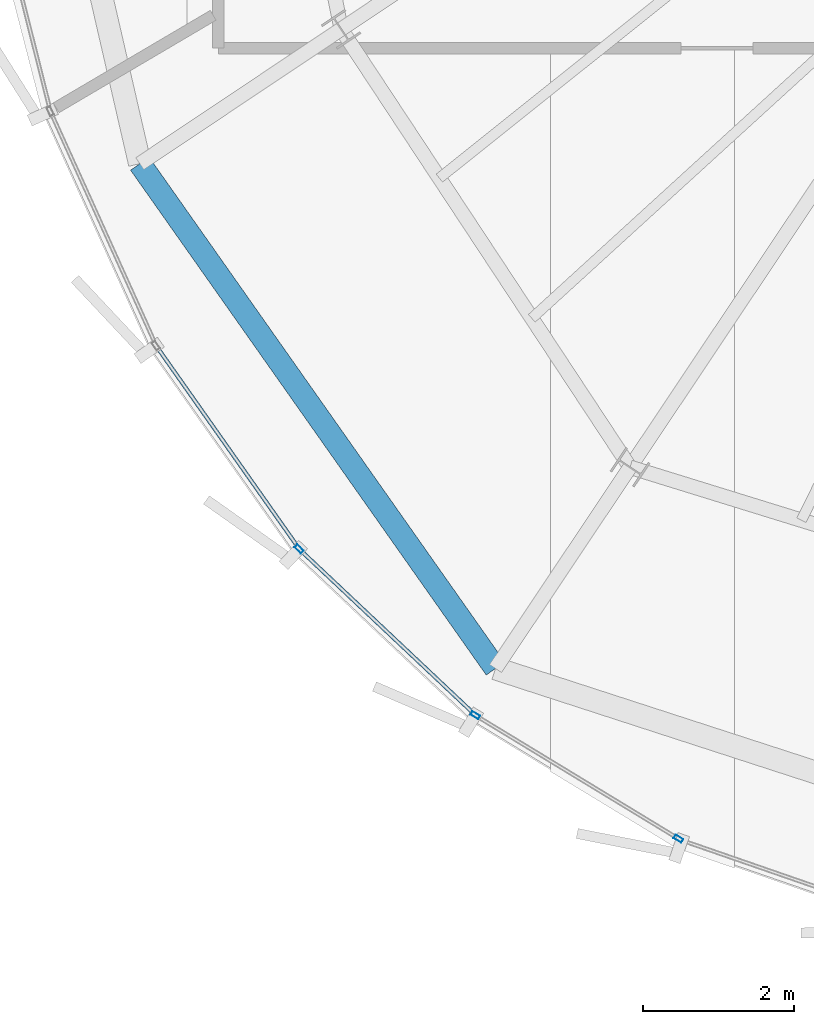
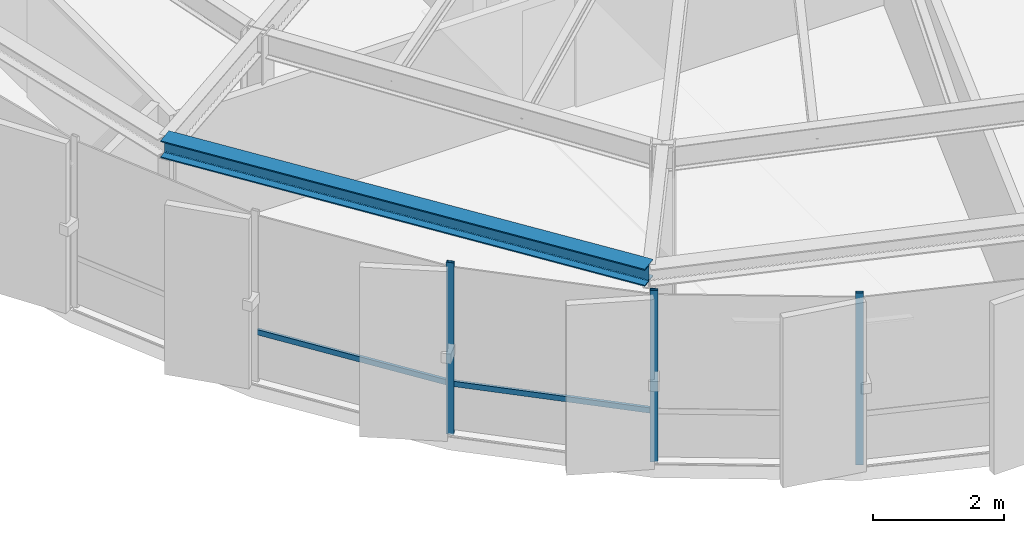
# One storey, part 2 of 30: 5 members, 1 beam, 1 element without a shape of its own.
"""IFC4 building model written with IfcOpenShell, lengths in metres."""

from ifc_helpers import new_model, si_unit, direction, frame, origin, origin_2d, place, context, subcontext, project, spatial, hollow_rectangle, i_section, extrude, source, transform, mapped, material, layer, layer_set, material_profile, profile_set, type_object, element, aggregate, save


model = new_model("IFC4")

# Units and contexts
model_context = context("Model", 3, precision=1e-05, world=origin(), true_north=direction((0.0, 1.0)))
body_context = subcontext(model_context, "Body", "Model", "MODEL_VIEW")
ifc_project = project(units=[si_unit("LENGTHUNIT", "METRE"), si_unit("AREAUNIT", "SQUARE_METRE"), si_unit("VOLUMEUNIT", "CUBIC_METRE"), si_unit("PLANEANGLEUNIT", "RADIAN"), si_unit("MASSUNIT", "GRAM", prefix="KILO"), si_unit("THERMODYNAMICTEMPERATUREUNIT", "KELVIN")], contexts=[model_context])

# Site, building, storey
site_placement = place(None, origin())
site = spatial("IfcSite", under=ifc_project, at=site_placement, CompositionType="ELEMENT")
building_placement = place(site_placement, origin())
building = spatial("IfcBuilding", under=site, at=building_placement, Name="Kethvar Cultural Tower", CompositionType="ELEMENT")
storey_placement = place(building_placement, frame((0.0, 0.0, 293.949951171875)))
storey = spatial("IfcBuildingStorey", under=building, at=storey_placement, Name="L78", CompositionType="ELEMENT", Elevation=293.949951171875)

# Beam
ifc_material_1 = material(Name="Steel S355J2", Category="steel")
ifc_material_profile_1 = material_profile(ifc_material_1, i_section(OverallWidth=0.300048828125, OverallDepth=0.320068359375, WebThickness=0.011474609375, FlangeThickness=0.0205078125, FilletRadius=0.027099609375, at=origin_2d()), Name="Steel S355J2 — HEB320")
ifc_profile_set_1 = profile_set([ifc_material_profile_1], Name="Steel S355J2 — HEB320")
beam_type = type_object("IfcBeamType", Name="BM-SP320", PredefinedType="SPANDREL", material=ifc_profile_set_1)
shared_shape_1 = source(origin(), body_context, "Body", "SweptSolid", [
    extrude(i_section(OverallWidth=0.300048828125, OverallDepth=0.320068359375, WebThickness=0.011474609375, FlangeThickness=0.0205078125, FilletRadius=0.027099609375, at=origin_2d()), origin(), (0.0, 0.0, 1.0), 8.16259765625),
])
beam_placement = place(storey_placement, frame((30.252197265625, 16.7431640625, 3.048095703125), z_axis=(0.575940812748, -0.817491394579, 0.0), x_axis=(0.817491394579, 0.575940812748, 0.0)))
element("IfcBeam", 1, at=beam_placement, inside=storey, type_object=beam_type, Name="L78 Perimeter Spandrel Beam SP-10", PredefinedType="SPANDREL", context=body_context, shape_type="MappedRepresentation", body=[
    mapped(shared_shape_1, transform((0.0, 0.0, 0.0), scale=1.0)),
])

# Curtain wall, members
ifc_material_2 = material(Name="Aluminium 6063-T6", Category="aluminium")
ifc_layer = layer(ifc_material_2, 0.179931640625, Name="Aluminium 6063-T6", Category="aluminium")
ifc_layer_set = layer_set([ifc_layer], Name="Aluminium 6063-T6 (180 mm)")
curtain_wall_type = type_object("IfcCurtainWallType", Name="CW-SYS-05-Z56", PredefinedType="NOTDEFINED", material=ifc_layer_set)
curtain_wall_placement = place(storey_placement, origin())
curtain_wall = element("IfcCurtainWall", 2, at=curtain_wall_placement, inside=storey, type_object=curtain_wall_type, Name="L78 Curtain Wall Run 03", PredefinedType="NOTDEFINED")
ifc_material_profile_2 = material_profile(ifc_material_2, hollow_rectangle(XDim=0.054931640625, YDim=0.1201171875, WallThickness=0.00390625, at=origin_2d()), Name="Aluminium 6063-T6 — RHS120x55x4")
ifc_profile_set_2 = profile_set([ifc_material_profile_2], Name="Aluminium 6063-T6 — RHS120x55x4")
member_type_1 = type_object("IfcMemberType", Name="CW-SYS-05-Z56-MUL", PredefinedType="MULLION", material=ifc_profile_set_2)
shared_shape_2 = source(origin(), body_context, "Body", "SweptSolid", [
    extrude(hollow_rectangle(XDim=0.054931640625, YDim=0.1201171875, WallThickness=0.00390625, at=origin_2d()), origin(), (0.0, 0.0, 1.0), 3.2099609375),
])
member_1_placement = place(storey_placement, frame((32.357177734375, 11.650390625, 0.0), z_axis=(0.0, 0.0, 1.0), x_axis=(0.685818352927, 0.727772757657, 0.0)))
member_1 = element("IfcMember", 3, at=member_1_placement, type_object=member_type_1, Name="CW-L78-R03 Mullion 5", PredefinedType="MULLION", context=body_context, shape_type="MappedRepresentation", body=[
    mapped(shared_shape_2, transform((0.0, 0.0, 0.0), scale=1.0)),
])
member_2_placement = place(storey_placement, frame((34.68603515625, 9.45263671875, 0.0), z_axis=(0.0, 0.0, 1.0), x_axis=(0.519399801856, 0.854531360356, 0.0)))
member_2 = element("IfcMember", 4, at=member_2_placement, type_object=member_type_1, Name="CW-L78-R03 Mullion 6", PredefinedType="MULLION", context=body_context, shape_type="MappedRepresentation", body=[
    mapped(shared_shape_2, transform((0.0, 0.0, 0.0), scale=1.0)),
])
member_3_placement = place(storey_placement, frame((37.370849609375, 7.82080078125, 0.0), z_axis=(0.0, 0.0, 1.0), x_axis=(0.519399801856, 0.854531360356, 0.0)))
member_3 = element("IfcMember", 5, at=member_3_placement, type_object=member_type_1, Name="CW-L78-R03 Mullion 7", PredefinedType="MULLION", context=body_context, shape_type="MappedRepresentation", body=[
    mapped(shared_shape_2, transform((0.0, 0.0, 0.0), scale=1.0)),
])
ifc_material_profile_3 = material_profile(ifc_material_2, hollow_rectangle(XDim=0.050048828125, YDim=0.10009765625, WallThickness=0.00390625, at=origin_2d()), Name="Aluminium 6063-T6 — RHS100x50x4")
ifc_profile_set_3 = profile_set([ifc_material_profile_3], Name="Aluminium 6063-T6 — RHS100x50x4")
member_type_2 = type_object("IfcMemberType", Name="CW-SYS-05-Z56-TRN", PredefinedType="USERDEFINED", material=ifc_profile_set_3)
shared_shape_3 = source(origin(), body_context, "Body", "SweptSolid", [
    extrude(hollow_rectangle(XDim=0.050048828125, YDim=0.10009765625, WallThickness=0.00390625, at=origin_2d()), origin(), (0.0, 0.0, 1.0), 3.14404296875),
])
member_4_placement = place(storey_placement, frame((32.385986328125, 11.623291015625, 0.949951171875), z_axis=(0.727762138805, -0.685829621205, 0.0), x_axis=(0.685829621205, 0.727762138805, 0.0)))
member_4 = element("IfcMember", 6, at=member_4_placement, type_object=member_type_2, Name="CW-L78-R03 Transom 5", ObjectType="TRANSOM", PredefinedType="USERDEFINED", context=body_context, shape_type="MappedRepresentation", body=[
    mapped(shared_shape_3, transform((0.0, 0.0, 0.0), scale=1.0)),
])
shared_shape_4 = source(origin(), body_context, "Body", "SweptSolid", [
    extrude(hollow_rectangle(XDim=0.050048828125, YDim=0.10009765625, WallThickness=0.00390625, at=origin_2d()), origin(), (0.0, 0.0, 1.0), 3.227783203125),
])
member_5_placement = place(storey_placement, frame((30.48828125, 14.30615234375, 0.949951171875), z_axis=(0.57596731756, -0.817472720708, 0.0), x_axis=(0.817472720708, 0.57596731756, 0.0)))
member_5 = element("IfcMember", 7, at=member_5_placement, type_object=member_type_2, Name="CW-L78-R03 Transom 4", ObjectType="TRANSOM", PredefinedType="USERDEFINED", context=body_context, shape_type="MappedRepresentation", body=[
    mapped(shared_shape_4, transform((0.0, 0.0, 0.0), scale=1.0)),
])
aggregate(curtain_wall, [member_1, member_2, member_3, member_5, member_4])

save(model, "model.ifc")
